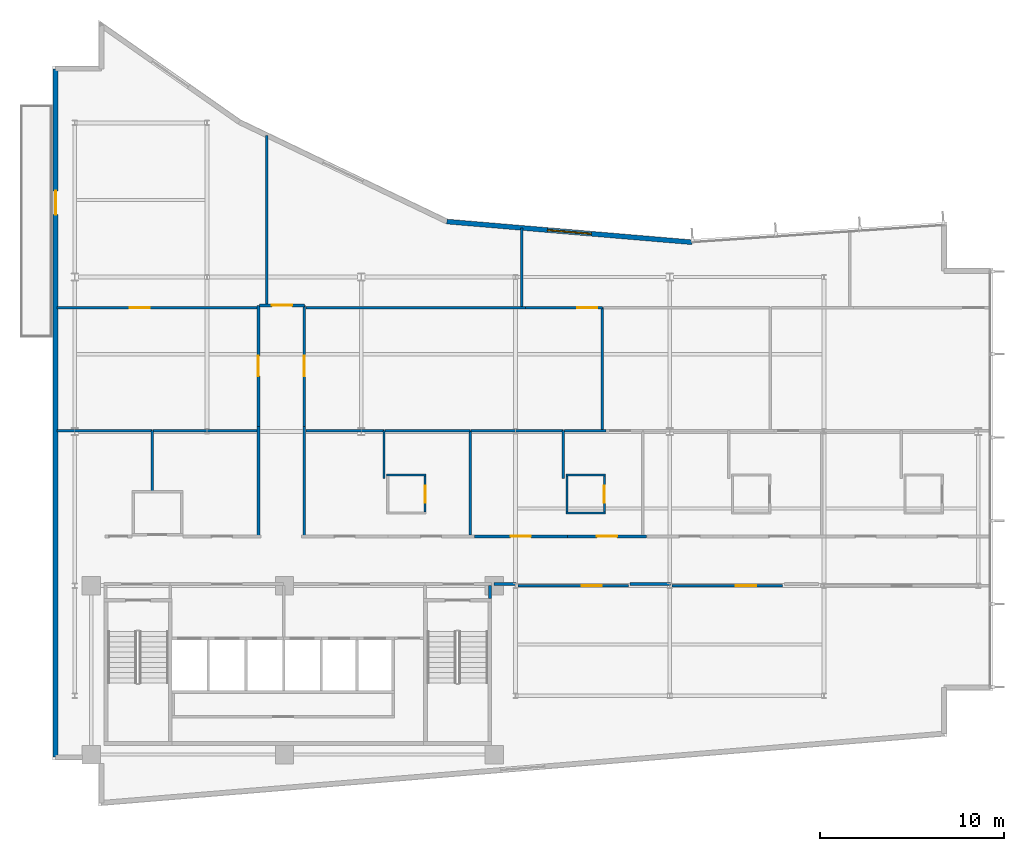
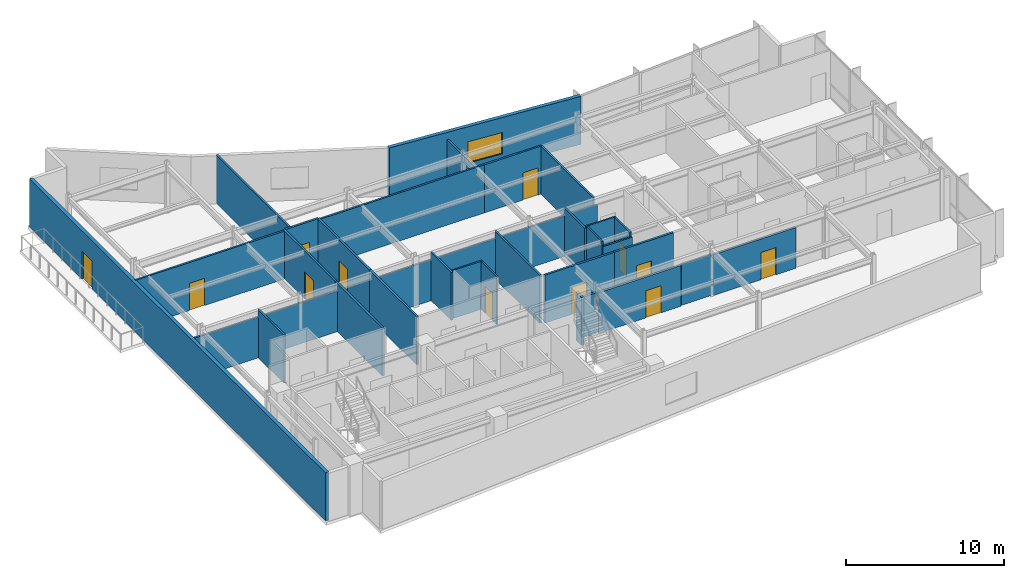
# One storey, part 12 of 17: 36 walls, 12 doors, 1 window, 13 openings.
"""IFC4 building model written with IfcOpenShell, lengths in metres."""

import ifcopenshell
import ifcopenshell.guid

model = None  # the IFC model being written
_history = None  # IfcOwnerHistory: only IFC2X3 demands one
_inside = {}  # id of a spatial element -> (the spatial element, [elements in it])
_under = {}  # id of a project, library or spatial element -> (it, [spatial elements below it])
_declared = {}  # id of a project -> (the project, [libraries it declares])
_typed = {}  # id of a type object -> (the type object, [elements of that type])
_made_of = {}  # id of a material, layer set ... -> (it, [elements and type objects made of it])


def new_model(schema):
    """Start an empty IFC model of exactly this schema.

    Asked for "IFC4X3", IfcOpenShell would pick the latest addendum, in which some entities
    have other attributes; the version numbers below select the first issue.
    IFC2X3 requires an IfcOwnerHistory on every rooted entity: one is made here for all.
    """
    global model, _history
    if schema == "IFC4X3":
        model = ifcopenshell.file(schema_version=(4, 3, 0, 0))
    else:
        model = ifcopenshell.file(schema=schema)
    _inside.clear()
    _under.clear()
    _declared.clear()
    _typed.clear()
    _made_of.clear()
    _history = None
    if model.schema == "IFC2X3":
        org = make("IfcOrganization", Name="unknown")
        user = make(
            "IfcPersonAndOrganization",
            ThePerson=make("IfcPerson", FamilyName="unknown"),
            TheOrganization=org,
        )
        app = make(
            "IfcApplication",
            ApplicationDeveloper=org,
            Version="unknown",
            ApplicationFullName="unknown",
            ApplicationIdentifier="unknown",
        )
        _history = make(
            "IfcOwnerHistory",
            OwningUser=user,
            OwningApplication=app,
            ChangeAction="ADDED",
            CreationDate=0,
        )
    return model


def make(cls, **values):
    """One entity of the class cls with the attributes given. An attribute that is None is left unset."""
    return model.create_entity(
        cls, **{name: value for name, value in values.items() if value is not None}
    )


def rooted(cls, **values):
    """An entity with a GlobalId (a new one), such as an element, a storey or a relation."""
    return make(cls, GlobalId=ifcopenshell.guid.new(), OwnerHistory=_history, **values)


def si_unit(unit_type, name, prefix=None):
    """IfcSIUnit, for example si_unit("LENGTHUNIT", "METRE", prefix="MILLI")."""
    return make("IfcSIUnit", UnitType=unit_type, Prefix=prefix, Name=name)


def assignment(units):
    """IfcUnitAssignment: the units of a project."""
    return None if units is None else make("IfcUnitAssignment", Units=units)


def point(xyz):
    """IfcCartesianPoint."""
    return None if xyz is None else make("IfcCartesianPoint", Coordinates=xyz)


def direction(xyz):
    """IfcDirection."""
    return None if xyz is None else make("IfcDirection", DirectionRatios=xyz)


def frame(location, z_axis=None, x_axis=None):
    """IfcAxis2Placement3D, a coordinate frame: its origin and axes. An axis left out is left unset."""
    return make(
        "IfcAxis2Placement3D",
        Location=point(location),
        Axis=direction(z_axis),
        RefDirection=direction(x_axis),
    )


def frame_2d(location, x_axis=None):
    """IfcAxis2Placement2D, a coordinate frame in the plane: its origin and x axis."""
    return make(
        "IfcAxis2Placement2D", Location=point(location), RefDirection=direction(x_axis)
    )


def origin():
    """The frame at (0, 0, 0) with its axes left unset."""
    return frame((0.0, 0.0, 0.0))


def place(relative_to, where):
    """IfcLocalPlacement: puts the frame where relative to a parent placement (None: the world)."""
    return make(
        "IfcLocalPlacement", PlacementRelTo=relative_to, RelativePlacement=where
    )


def context(
    kind, dimensions, precision=None, world=None, true_north=None, identifier=None
):
    """IfcGeometricRepresentationContext, for example the 3D "Model" context."""
    return make(
        "IfcGeometricRepresentationContext",
        ContextIdentifier=identifier,
        ContextType=kind,
        CoordinateSpaceDimension=dimensions,
        Precision=precision,
        WorldCoordinateSystem=world,
        TrueNorth=true_north,
    )


def subcontext(parent, identifier, kind, view, scale=None):
    """IfcGeometricRepresentationSubContext, for example "Body" below "Model"."""
    return make(
        "IfcGeometricRepresentationSubContext",
        ContextIdentifier=identifier,
        ContextType=kind,
        ParentContext=parent,
        TargetScale=scale,
        TargetView=view,
    )


def project(units=None, contexts=None):
    """IfcProject with its units and contexts."""
    return rooted(
        "IfcProject",
        Name="project",
        RepresentationContexts=contexts,
        UnitsInContext=assignment(units),
    )


def spatial(cls, under=None, at=None, **own):
    """A site, building, storey or space (cls), placed at a placement, below another one or the project."""
    s = rooted(cls, ObjectPlacement=at, **own)
    if under is not None:
        _under.setdefault(under.id(), (under, []))[1].append(s)
    return s


def profile(cls, at=None, kind="AREA", **sizes):
    """A parametric profile (cls). Its sizes go by their IFC names, for example OverallWidth=200.0."""
    return make(cls, ProfileType=kind, Position=at, **sizes)


def rectangle(**sizes):
    """IfcRectangleProfileDef."""
    return profile("IfcRectangleProfileDef", **sizes)


def extrude(swept, where, along, depth):
    """IfcExtrudedAreaSolid: the profile swept, set in the frame where, extruded along a direction by depth."""
    return make(
        "IfcExtrudedAreaSolid",
        SweptArea=swept,
        Position=where,
        ExtrudedDirection=direction(along),
        Depth=depth,
    )


def shape(context_of_items, identifier, shape_type, items):
    """IfcShapeRepresentation: the items that make up one representation, for example the "Body"."""
    return make(
        "IfcShapeRepresentation",
        ContextOfItems=context_of_items,
        RepresentationIdentifier=identifier,
        RepresentationType=shape_type,
        Items=items,
    )


def material(Name=None, Category=None):
    """IfcMaterial."""
    return make("IfcMaterial", Name=Name, Category=Category)


def layer(
    of_material, thickness, ventilated=None, Name=None, Category=None, Priority=None
):
    """IfcMaterialLayer: one layer of a wall or slab, of a material (None: an air gap)."""
    return make(
        "IfcMaterialLayer",
        Material=of_material,
        LayerThickness=thickness,
        IsVentilated=ventilated,
        Name=Name,
        Category=Category,
        Priority=Priority,
    )


def layer_set(layers, Name=None):
    """IfcMaterialLayerSet."""
    return make("IfcMaterialLayerSet", MaterialLayers=layers, LayerSetName=Name)


def made_of(thing, what):
    """Note that an element or type object is made of a material, layer set ...; save() writes the relation."""
    if what is not None:
        _made_of.setdefault(what.id(), (what, []))[1].append(thing)
    return thing


def type_object(cls, material=None, **own):
    """A type object (cls), such as IfcWallType, which elements share."""
    return made_of(rooted(cls, **own), material)


def element(
    cls,
    number,
    at=None,
    inside=None,
    cuts=None,
    type_object=None,
    material=None,
    context=None,
    identifier="Body",
    shape_type=None,
    held_by="IfcProductDefinitionShape",
    body=None,
    shapes=None,
    **own,
):
    """One element of the class cls, such as IfcWall. Its Tag is "e" and its number.

    at: its placement. inside: the storey or other place that contains it. cuts: it is an
    opening in that element (IfcRelVoidsElement). A single representation is given by context,
    identifier, shape_type and body (its items); several are given by shapes. held_by: the class
    of the entity that holds the representations. save() writes the other relations.
    """
    e = rooted(cls, Tag="e%d" % number, ObjectPlacement=at, **own)
    if body is not None:
        shapes = [shape(context, identifier, shape_type, body)]
    if shapes is not None:
        e.Representation = make(held_by, Representations=shapes)
    if inside is not None:
        _inside.setdefault(inside.id(), (inside, []))[1].append(e)
    if cuts is not None:
        rooted(
            "IfcRelVoidsElement", RelatingBuildingElement=cuts, RelatedOpeningElement=e
        )
    if type_object is not None:
        _typed.setdefault(type_object.id(), (type_object, []))[1].append(e)
    return made_of(e, material)


def fill(opening, filler):
    """IfcRelFillsElement: the door or window that sits in an opening."""
    return rooted(
        "IfcRelFillsElement",
        RelatingOpeningElement=opening,
        RelatedBuildingElement=filler,
    )


def aggregate(whole, parts):
    """IfcRelAggregates: a whole, such as a stair, and the parts it consists of."""
    return rooted("IfcRelAggregates", RelatingObject=whole, RelatedObjects=parts)


def save(model, path):
    """Write the relations noted so far, then the file.

    IfcRelAggregates (storeys below a building ...), IfcRelContainedInSpatialStructure (elements
    in a storey), IfcRelDefinesByType, IfcRelAssociatesMaterial and IfcRelDeclares: one each for
    every whole, place, type object, material and project.
    """
    for whole, parts in _under.values():
        aggregate(whole, parts)
    for where, things in _inside.values():
        rooted(
            "IfcRelContainedInSpatialStructure",
            RelatedElements=things,
            RelatingStructure=where,
        )
    for kind, things in _typed.values():
        rooted("IfcRelDefinesByType", RelatedObjects=things, RelatingType=kind)
    for what, things in _made_of.values():
        rooted("IfcRelAssociatesMaterial", RelatedObjects=things, RelatingMaterial=what)
    for by, libraries in _declared.values():
        rooted("IfcRelDeclares", RelatingContext=by, RelatedDefinitions=libraries)
    model.write(path)


model = new_model("IFC4")

# Units and contexts
model_context = context("Model", 3, precision=1e-05, world=origin(), true_north=direction((0.0, 1.0)))
body_context = subcontext(model_context, "Body", "Model", "MODEL_VIEW")
ifc_project = project(units=[si_unit("LENGTHUNIT", "METRE"), si_unit("AREAUNIT", "SQUARE_METRE"), si_unit("VOLUMEUNIT", "CUBIC_METRE"), si_unit("PLANEANGLEUNIT", "RADIAN"), si_unit("MASSUNIT", "GRAM", prefix="KILO")], contexts=[model_context])

# Site, building, storey
site_placement = place(None, origin())
site = spatial("IfcSite", under=ifc_project, at=site_placement, CompositionType="ELEMENT")
building_placement = place(site_placement, origin())
building = spatial("IfcBuilding", under=site, at=building_placement, Name="Varnakote Quay Hospital", CompositionType="ELEMENT")
storey_placement = place(building_placement, frame((0.0, 0.0, 203.949951171875)))
storey = spatial("IfcBuildingStorey", under=building, at=storey_placement, Name="L50", CompositionType="ELEMENT", Elevation=203.949951171875)

# Walls
ifc_material_1 = material(Name="Fire-rated acoustic gypsum stud wall", Category="gypsum")
ifc_layer_1 = layer(ifc_material_1, 0.159912109375)
ifc_layer_set_1 = layer_set([ifc_layer_1], Name="Fire-rated acoustic gypsum stud wall")
wall_type_1 = type_object("IfcWallType", Name="WL-COMP-160", PredefinedType="PARTITIONING", material=ifc_layer_set_1)
wall_1_placement = place(storey_placement, frame((23.820068359375, 11.300048828125, 0.0), z_axis=(0.0, 0.0, 1.0), x_axis=(0.0, 1.0, 0.0)))
element("IfcWall", 1, at=wall_1_placement, inside=storey, type_object=wall_type_1, Name="L50 East Stair Vestibule East Wall", PredefinedType="PARTITIONING", context=body_context, shape_type="SweptSolid", body=[
    extrude(rectangle(XDim=0.699951171875, YDim=0.159912109375, at=frame_2d((0.35009765625, 0.0))), origin(), (0.0, 0.0, 1.0), 3.7099609375),
])
wall_2_placement = place(storey_placement, frame((24.02001953125, 12.080078125, 0.0), z_axis=(0.0, 0.0, 1.0), x_axis=(1.0, 0.0, 0.0)))
element("IfcWall", 2, at=wall_2_placement, inside=storey, type_object=wall_type_1, Name="L50 Corridor South Gap Wall", PredefinedType="PARTITIONING", context=body_context, shape_type="SweptSolid", body=[
    extrude(rectangle(XDim=1.21875, YDim=0.159912109375, at=frame_2d((0.609375, 0.0))), origin(), (0.0, 0.0, 1.0), 3.152099609375),
])
wall_3_placement = place(storey_placement, frame((31.439208984375, 12.080078125, 0.0), z_axis=(0.0, 0.0, 1.0), x_axis=(1.0, 0.0, 0.0)))
element("IfcWall", 3, at=wall_3_placement, inside=storey, type_object=wall_type_1, Name="L50 Corridor South Gap Wall", PredefinedType="PARTITIONING", context=body_context, shape_type="SweptSolid", body=[
    extrude(rectangle(XDim=2.199462890625, YDim=0.159912109375, at=frame_2d((1.099609375, 0.0))), origin(), (0.0, 0.0, 1.0), 3.152099609375),
])
ifc_material_2 = material(Name="Moisture-resistant bathroom partition", Category="gypsum")
ifc_layer_2 = layer(ifc_material_2, 0.114990234375)
ifc_layer_set_2 = layer_set([ifc_layer_2], Name="Moisture-resistant bathroom partition")
wall_type_2 = type_object("IfcWallType", Name="WL-ENS-115", PredefinedType="PARTITIONING", material=ifc_layer_set_2)
wall_4_placement = place(storey_placement, frame((18.18505859375, 18.017578125, 0.0), z_axis=(0.0, 0.0, 1.0), x_axis=(1.0, 0.0, 0.0)))
element("IfcWall", 4, at=wall_4_placement, inside=storey, type_object=wall_type_2, Name="L50 Inpatient En-Suite Bathroom 01 N Wall", PredefinedType="PARTITIONING", context=body_context, shape_type="SweptSolid", body=[
    extrude(rectangle(XDim=2.14990234375, YDim=0.114990234375, at=frame_2d((1.074951171875, 0.0))), origin(), (0.0, 0.0, 1.0), 3.7099609375),
])

# Wall, opening, door
wall_5_placement = place(storey_placement, frame((20.277587890625, 16.010009765625, 0.0), z_axis=(0.0, 0.0, 1.0), x_axis=(0.0, 1.0, 0.0)))
wall_5 = element("IfcWall", 5, at=wall_5_placement, inside=storey, type_object=wall_type_2, Name="L50 Inpatient En-Suite Bathroom 01 E Wall", PredefinedType="PARTITIONING", context=body_context, shape_type="SweptSolid", body=[
    extrude(rectangle(XDim=1.949951171875, YDim=0.114990234375, at=frame_2d((0.97509765625, 0.0))), origin(), (0.0, 0.0, 1.0), 3.7099609375),
])
opening_1_placement = place(wall_5_placement, frame((0.514892578125, 0.0, 0.0)))
opening_1 = element("IfcOpeningElement", 6, at=opening_1_placement, cuts=wall_5, Name="Opening D-L50-ENS01", PredefinedType="OPENING", context=body_context, shape_type="SweptSolid", body=[
    extrude(rectangle(XDim=0.919921875, YDim=2.10009765625, at=frame_2d((0.4599609375, 1.050048828125))), frame((0.0, 0.0673828125, 0.0), z_axis=(0.0, -1.0, 0.0), x_axis=(1.0, 0.0, 0.0)), (0.0, 0.0, 1.0), 0.135009765625),
])
ifc_material_3 = material(Name="Moisture-sealed en-suite bathroom door")
door_type_1 = type_object("IfcDoorType", Name="DR-ENS-920x2100", OperationType="NOTDEFINED", PredefinedType="DOOR", material=ifc_material_3)
door_1_placement = place(opening_1_placement, origin())
door_1 = element("IfcDoor", 7, at=door_1_placement, inside=storey, type_object=door_type_1, Name="L50 Inpatient En-Suite Bathroom 01 Door", OperationType="SINGLE_SWING_LEFT", OverallHeight=2.10009765625, OverallWidth=0.919921875, PredefinedType="DOOR", context=body_context, shape_type="SweptSolid", body=[
    extrude(rectangle(XDim=0.919921875, YDim=2.10009765625, at=frame_2d((0.4599609375, 1.050048828125))), frame((0.0, 0.02490234375, 0.0), z_axis=(0.0, -1.0, 0.0), x_axis=(1.0, 0.0, 0.0)), (0.0, 0.0, 1.0), 0.050048828125),
])
fill(opening_1, door_1)

# Walls
wall_6_placement = place(storey_placement, frame((27.945068359375, 15.952392578125, 0.0), z_axis=(0.0, 0.0, 1.0), x_axis=(1.0, 0.0, 0.0)))
element("IfcWall", 8, at=wall_6_placement, inside=storey, type_object=wall_type_2, Name="L50 Inpatient En-Suite Bathroom 02 S Wall", PredefinedType="PARTITIONING", context=body_context, shape_type="SweptSolid", body=[
    extrude(rectangle(XDim=2.14990234375, YDim=0.114990234375, at=frame_2d((1.074951171875, 0.0))), origin(), (0.0, 0.0, 1.0), 3.381103515625),
])
wall_7_placement = place(storey_placement, frame((27.945068359375, 18.017578125, 0.0), z_axis=(0.0, 0.0, 1.0), x_axis=(1.0, 0.0, 0.0)))
element("IfcWall", 9, at=wall_7_placement, inside=storey, type_object=wall_type_2, Name="L50 Inpatient En-Suite Bathroom 02 N Wall", PredefinedType="PARTITIONING", context=body_context, shape_type="SweptSolid", body=[
    extrude(rectangle(XDim=2.14990234375, YDim=0.114990234375, at=frame_2d((1.074951171875, 0.0))), origin(), (0.0, 0.0, 1.0), 3.7099609375),
])
wall_8_placement = place(storey_placement, frame((28.00244140625, 16.010009765625, 0.0), z_axis=(0.0, 0.0, 1.0), x_axis=(0.0, 1.0, 0.0)))
element("IfcWall", 10, at=wall_8_placement, inside=storey, type_object=wall_type_2, Name="L50 Inpatient En-Suite Bathroom 02 W Wall", PredefinedType="PARTITIONING", context=body_context, shape_type="SweptSolid", body=[
    extrude(rectangle(XDim=1.949951171875, YDim=0.114990234375, at=frame_2d((0.97509765625, 0.0))), origin(), (0.0, 0.0, 1.0), 3.7099609375),
])

# Wall, opening, door
wall_9_placement = place(storey_placement, frame((30.03759765625, 16.010009765625, 0.0), z_axis=(0.0, 0.0, 1.0), x_axis=(0.0, 1.0, 0.0)))
wall_9 = element("IfcWall", 11, at=wall_9_placement, inside=storey, type_object=wall_type_2, Name="L50 Inpatient En-Suite Bathroom 02 E Wall", PredefinedType="PARTITIONING", context=body_context, shape_type="SweptSolid", body=[
    extrude(rectangle(XDim=1.949951171875, YDim=0.114990234375, at=frame_2d((0.97509765625, 0.0))), origin(), (0.0, 0.0, 1.0), 3.7099609375),
])
opening_2_placement = place(wall_9_placement, frame((0.514892578125, 0.0, 0.0)))
opening_2 = element("IfcOpeningElement", 12, at=opening_2_placement, cuts=wall_9, Name="Opening D-L50-ENS02", PredefinedType="OPENING", context=body_context, shape_type="SweptSolid", body=[
    extrude(rectangle(XDim=0.919921875, YDim=2.10009765625, at=frame_2d((0.4599609375, 1.050048828125))), frame((0.0, 0.0673828125, 0.0), z_axis=(0.0, -1.0, 0.0), x_axis=(1.0, 0.0, 0.0)), (0.0, 0.0, 1.0), 0.135009765625),
])
door_2_placement = place(opening_2_placement, origin())
door_2 = element("IfcDoor", 13, at=door_2_placement, inside=storey, type_object=door_type_1, Name="L50 Inpatient En-Suite Bathroom 02 Door", OperationType="SINGLE_SWING_RIGHT", OverallHeight=2.10009765625, OverallWidth=0.919921875, PredefinedType="DOOR", context=body_context, shape_type="SweptSolid", body=[
    extrude(rectangle(XDim=0.919921875, YDim=2.10009765625, at=frame_2d((0.4599609375, 1.050048828125))), frame((0.0, 0.02490234375, 0.0), z_axis=(0.0, -1.0, 0.0), x_axis=(1.0, 0.0, 0.0)), (0.0, 0.0, 1.0), 0.050048828125),
])
fill(opening_2, door_2)

# Wall, opening, window
ifc_material_4 = material(Name="Precast concrete N50 (f'c 50 MPa)", Category="concrete")
ifc_layer_3 = layer(ifc_material_4, 0.260009765625)
ifc_layer_set_3 = layer_set([ifc_layer_3], Name="Precast concrete N50 (f'c 50 MPa)")
wall_type_3 = type_object("IfcWallType", Name="WL-EXT-BRICK-260", PredefinedType="STANDARD", material=ifc_layer_set_3)
wall_10_placement = place(storey_placement, frame((34.814697265625, 30.695556640625, 0.0), z_axis=(0.0, 0.0, 1.0), x_axis=(-0.996454704935, 0.084130975344, 0.0)))
wall_10 = element("IfcWall", 14, at=wall_10_placement, inside=storey, type_object=wall_type_3, Name="L50 Brick-Faced Precast Exterior Wall", PredefinedType="STANDARD", context=body_context, shape_type="SweptSolid", body=[
    extrude(rectangle(XDim=13.401123046875, YDim=0.260009765625, at=frame_2d((6.70068359375, 0.0))), origin(), (0.0, 0.0, 1.0), 3.7099609375),
])
opening_3_placement = place(wall_10_placement, frame((5.50048828125, 0.0, 0.89990234375)))
opening_3 = element("IfcOpeningElement", 15, at=opening_3_placement, cuts=wall_10, Name="Opening WN-0207", PredefinedType="OPENING", context=body_context, shape_type="SweptSolid", body=[
    extrude(rectangle(XDim=2.39990234375, YDim=1.64990234375, at=frame_2d((1.199951171875, 0.824951171875))), frame((0.0, 0.139892578125, 0.0), z_axis=(0.0, -1.0, 0.0), x_axis=(1.0, 0.0, 0.0)), (0.0, 0.0, 1.0), 0.280029296875),
])
ifc_material_5 = material(Name="Double-glazed low-E solar glass", Category="glass")
window_type = type_object("IfcWindowType", Name="WIN-CLIN-2400x1650", PartitioningType="SINGLE_PANEL", PredefinedType="WINDOW", material=ifc_material_5)
window_placement = place(opening_3_placement, origin())
window = element("IfcWindow", 16, at=window_placement, inside=storey, type_object=window_type, Name="L50 Solar-Control Clinical Window", OverallHeight=1.64990234375, OverallWidth=2.39990234375, PartitioningType="SINGLE_PANEL", PredefinedType="WINDOW", context=body_context, shape_type="SweptSolid", body=[
    extrude(rectangle(XDim=2.39990234375, YDim=1.64990234375, at=frame_2d((1.199951171875, 0.824951171875))), frame((0.0, 0.030029296875, 0.0), z_axis=(0.0, -1.0, 0.0), x_axis=(1.0, 0.0, 0.0)), (0.0, 0.0, 1.0), 0.06005859375),
])
fill(opening_3, window)

# Wall, opening, door
wall_11_placement = place(storey_placement, frame((0.159912109375, 40.139892578125, 0.0), z_axis=(0.0, 0.0, 1.0), x_axis=(0.0, -1.0, 0.0)))
wall_11 = element("IfcWall", 17, at=wall_11_placement, inside=storey, type_object=wall_type_3, Name="L50 Healing Terrace Portal Brick Wall", PredefinedType="STANDARD", context=body_context, shape_type="SweptSolid", body=[
    extrude(rectangle(XDim=37.47998046875, YDim=0.260009765625, at=frame_2d((18.739990234375, 0.0))), origin(), (0.0, 0.0, 1.0), 3.7099609375),
])
opening_4_placement = place(wall_11_placement, frame((6.6376953125, 0.0, 0.0)))
opening_4 = element("IfcOpeningElement", 18, at=opening_4_placement, cuts=wall_11, Name="Opening DT-L50", PredefinedType="OPENING", context=body_context, shape_type="SweptSolid", body=[
    extrude(rectangle(XDim=1.300048828125, YDim=2.14990234375, at=frame_2d((0.64990234375, 1.074951171875))), frame((0.0, 0.139892578125, 0.0), z_axis=(0.0, -1.0, 0.0), x_axis=(1.0, 0.0, 0.0)), (0.0, 0.0, 1.0), 0.280029296875),
])
ifc_material_6 = material(Name="Anodised aluminium glazed terrace door", Category="aluminium")
door_type_2 = type_object("IfcDoorType", Name="DR-EXT-TERR-1300x2150", OperationType="NOTDEFINED", PredefinedType="DOOR", material=ifc_material_6)
door_3_placement = place(opening_4_placement, origin())
door_3 = element("IfcDoor", 19, at=door_3_placement, inside=storey, type_object=door_type_2, Name="L50 Waterfront Healing Terrace Door", OperationType="SINGLE_SWING_LEFT", OverallHeight=2.14990234375, OverallWidth=1.300048828125, PredefinedType="DOOR", context=body_context, shape_type="SweptSolid", body=[
    extrude(rectangle(XDim=1.300048828125, YDim=2.14990234375, at=frame_2d((0.64990234375, 1.074951171875))), frame((0.0, 0.02490234375, 0.0), z_axis=(0.0, -1.0, 0.0), x_axis=(1.0, 0.0, 0.0)), (0.0, 0.0, 1.0), 0.050048828125),
])
fill(opening_4, door_3)

# Walls
ifc_material_7 = material(Name="Smoke-proof clinical partition", Category="gypsum")
ifc_layer_4 = layer(ifc_material_7, 0.135009765625)
ifc_layer_set_4 = layer_set([ifc_layer_4], Name="Smoke-proof clinical partition")
wall_type_4 = type_object("IfcWallType", Name="WL-SMOKE-135", PredefinedType="PARTITIONING", material=ifc_layer_set_4)
wall_12_placement = place(storey_placement, frame((5.409912109375, 17.139892578125, 0.0), z_axis=(0.0, 0.0, 1.0), x_axis=(0.0, 1.0, 0.0)))
element("IfcWall", 20, at=wall_12_placement, inside=storey, type_object=wall_type_4, Name="L50 Clinical Interior Partition", PredefinedType="PARTITIONING", context=body_context, shape_type="SweptSolid", body=[
    extrude(rectangle(XDim=3.300048828125, YDim=0.135009765625, at=frame_2d((1.64990234375, 0.0))), origin(), (0.0, 0.0, 1.0), 3.7099609375),
])
wall_13_placement = place(storey_placement, frame((5.409912109375, 20.43994140625, 0.0), z_axis=(0.0, 0.0, 1.0), x_axis=(-1.0, 0.0, 0.0)))
element("IfcWall", 21, at=wall_13_placement, inside=storey, type_object=wall_type_4, Name="L50 Clinical Interior Partition", PredefinedType="PARTITIONING", context=body_context, shape_type="SweptSolid", body=[
    extrude(rectangle(XDim=5.169921875, YDim=0.135009765625, at=frame_2d((2.5849609375, 0.0))), origin(), (0.0, 0.0, 1.0), 3.152099609375),
])
wall_14_placement = place(storey_placement, frame((11.1201171875, 20.43994140625, 0.0), z_axis=(0.0, 0.0, 1.0), x_axis=(-1.0, 0.0, 0.0)))
element("IfcWall", 22, at=wall_14_placement, inside=storey, type_object=wall_type_4, Name="L50 Clinical Interior Partition", PredefinedType="PARTITIONING", context=body_context, shape_type="SweptSolid", body=[
    extrude(rectangle(XDim=5.652587890625, YDim=0.135009765625, at=frame_2d((2.826171875, 0.0))), origin(), (0.0, 0.0, 1.0), 3.152099609375),
])
wall_15_placement = place(storey_placement, frame((18.0400390625, 17.83251953125, 0.0), z_axis=(0.0, 0.0, 1.0), x_axis=(0.0, 1.0, 0.0)))
element("IfcWall", 23, at=wall_15_placement, inside=storey, type_object=wall_type_4, Name="L50 Clinical Interior Partition", PredefinedType="PARTITIONING", context=body_context, shape_type="SweptSolid", body=[
    extrude(rectangle(XDim=2.607421875, YDim=0.135009765625, at=frame_2d((1.3037109375, 0.0))), origin(), (0.0, 0.0, 1.0), 3.7099609375),
])
wall_16_placement = place(storey_placement, frame((18.0400390625, 20.43994140625, 0.0), z_axis=(0.0, 0.0, 1.0), x_axis=(-1.0, 0.0, 0.0)))
element("IfcWall", 24, at=wall_16_placement, inside=storey, type_object=wall_type_4, Name="L50 Clinical Interior Partition", PredefinedType="PARTITIONING", context=body_context, shape_type="SweptSolid", body=[
    extrude(rectangle(XDim=4.260009765625, YDim=0.135009765625, at=frame_2d((2.1298828125, 0.0))), origin(), (0.0, 0.0, 1.0), 3.152099609375),
])
wall_17_placement = place(storey_placement, frame((22.72998046875, 14.760009765625, 0.0), z_axis=(0.0, 0.0, 1.0), x_axis=(0.0, 1.0, 0.0)))
element("IfcWall", 25, at=wall_17_placement, inside=storey, type_object=wall_type_4, Name="L50 Clinical Interior Partition", PredefinedType="PARTITIONING", context=body_context, shape_type="SweptSolid", body=[
    extrude(rectangle(XDim=5.679931640625, YDim=0.135009765625, at=frame_2d((2.83984375, 0.0))), origin(), (0.0, 0.0, 1.0), 3.7099609375),
])
wall_18_placement = place(storey_placement, frame((22.72998046875, 20.43994140625, 0.0), z_axis=(0.0, 0.0, 1.0), x_axis=(-1.0, 0.0, 0.0)))
element("IfcWall", 26, at=wall_18_placement, inside=storey, type_object=wall_type_4, Name="L50 Clinical Interior Partition", PredefinedType="PARTITIONING", context=body_context, shape_type="SweptSolid", body=[
    extrude(rectangle(XDim=4.632568359375, YDim=0.135009765625, at=frame_2d((2.31640625, 0.0))), origin(), (0.0, 0.0, 1.0), 3.152099609375),
])
wall_19_placement = place(storey_placement, frame((27.800048828125, 17.83251953125, 0.0), z_axis=(0.0, 0.0, 1.0), x_axis=(0.0, 1.0, 0.0)))
element("IfcWall", 27, at=wall_19_placement, inside=storey, type_object=wall_type_4, Name="L50 Clinical Interior Partition", PredefinedType="PARTITIONING", context=body_context, shape_type="SweptSolid", body=[
    extrude(rectangle(XDim=2.607421875, YDim=0.135009765625, at=frame_2d((1.3037109375, 0.0))), origin(), (0.0, 0.0, 1.0), 3.7099609375),
])
wall_20_placement = place(storey_placement, frame((27.800048828125, 20.43994140625, 0.0), z_axis=(0.0, 0.0, 1.0), x_axis=(-1.0, 0.0, 0.0)))
element("IfcWall", 28, at=wall_20_placement, inside=storey, type_object=wall_type_4, Name="L50 Clinical Interior Partition", PredefinedType="PARTITIONING", context=body_context, shape_type="SweptSolid", body=[
    extrude(rectangle(XDim=5.012451171875, YDim=0.135009765625, at=frame_2d((2.50634765625, 0.0))), origin(), (0.0, 0.0, 1.0), 3.152099609375),
])
wall_21_placement = place(storey_placement, frame((30.137451171875, 20.43994140625, 0.0), z_axis=(0.0, 0.0, 1.0), x_axis=(-1.0, 0.0, 0.0)))
element("IfcWall", 29, at=wall_21_placement, inside=storey, type_object=wall_type_4, Name="L50 Clinical Interior Partition", PredefinedType="PARTITIONING", context=body_context, shape_type="SweptSolid", body=[
    extrude(rectangle(XDim=2.280029296875, YDim=0.135009765625, at=frame_2d((1.14013671875, 0.0))), origin(), (0.0, 0.0, 1.0), 3.152099609375),
])

# Wall, opening, door
wall_22_placement = place(storey_placement, frame((11.1201171875, 27.139892578125, 0.0), z_axis=(0.0, 0.0, 1.0), x_axis=(-1.0, 0.0, 0.0)))
wall_22 = element("IfcWall", 30, at=wall_22_placement, inside=storey, type_object=wall_type_4, Name="L50 Clinical Interior Partition", PredefinedType="PARTITIONING", context=body_context, shape_type="SweptSolid", body=[
    extrude(rectangle(XDim=10.880126953125, YDim=0.135009765625, at=frame_2d((5.43994140625, 0.0))), origin(), (0.0, 0.0, 1.0), 3.7099609375),
])
opening_5_placement = place(wall_22_placement, frame((5.827880859375, 0.0, 0.0)))
opening_5 = element("IfcOpeningElement", 31, at=opening_5_placement, cuts=wall_22, Name="Opening D-L50-MD10", PredefinedType="OPENING", context=body_context, shape_type="SweptSolid", body=[
    extrude(rectangle(XDim=1.10009765625, YDim=2.10009765625, at=frame_2d((0.550048828125, 1.050048828125))), frame((0.0, 0.077392578125, 0.0), z_axis=(0.0, -1.0, 0.0), x_axis=(1.0, 0.0, 0.0)), (0.0, 0.0, 1.0), 0.155029296875),
])
ifc_material_8 = material(Name="Acoustic timber clinical consult door", Category="wood")
door_type_3 = type_object("IfcDoorType", Name="DR-CLIN-FD30S-1100x2100", OperationType="NOTDEFINED", PredefinedType="DOOR", material=ifc_material_8)
door_4_placement = place(opening_5_placement, origin())
door_4 = element("IfcDoor", 32, at=door_4_placement, inside=storey, type_object=door_type_3, Name="L50 Stroke Rehabilitation Treatment Suite Door", OperationType="SINGLE_SWING_LEFT", OverallHeight=2.10009765625, OverallWidth=1.10009765625, PredefinedType="DOOR", context=body_context, shape_type="SweptSolid", body=[
    extrude(rectangle(XDim=1.10009765625, YDim=2.10009765625, at=frame_2d((0.550048828125, 1.050048828125))), frame((0.0, 0.02490234375, 0.0), z_axis=(0.0, -1.0, 0.0), x_axis=(1.0, 0.0, 0.0)), (0.0, 0.0, 1.0), 0.050048828125),
])
fill(opening_5, door_4)

# Walls
wall_23_placement = place(storey_placement, frame((29.929931640625, 20.49755859375, 0.0), z_axis=(0.0, 0.0, 1.0), x_axis=(0.0, 1.0, 0.0)))
element("IfcWall", 33, at=wall_23_placement, inside=storey, type_object=wall_type_4, Name="L50 Clinical Interior Partition", PredefinedType="PARTITIONING", context=body_context, shape_type="SweptSolid", body=[
    extrude(rectangle(XDim=6.642333984375, YDim=0.135009765625, at=frame_2d((3.3212890625, 0.0))), origin(), (0.0, 0.0, 1.0), 3.7099609375),
])
wall_24_placement = place(storey_placement, frame((25.74755859375, 27.139892578125, 0.0), z_axis=(0.0, 0.0, 1.0), x_axis=(-1.0, 0.0, 0.0)))
element("IfcWall", 34, at=wall_24_placement, inside=storey, type_object=wall_type_4, Name="L50 Clinical Interior Partition", PredefinedType="PARTITIONING", context=body_context, shape_type="SweptSolid", body=[
    extrude(rectangle(XDim=11.967529296875, YDim=0.135009765625, at=frame_2d((5.98388671875, 0.0))), origin(), (0.0, 0.0, 1.0), 3.7099609375),
])

# Wall, opening, door
wall_25_placement = place(storey_placement, frame((29.929931640625, 27.139892578125, 0.0), z_axis=(0.0, 0.0, 1.0), x_axis=(-1.0, 0.0, 0.0)))
wall_25 = element("IfcWall", 35, at=wall_25_placement, inside=storey, type_object=wall_type_4, Name="L50 Clinical Interior Partition", PredefinedType="PARTITIONING", context=body_context, shape_type="SweptSolid", body=[
    extrude(rectangle(XDim=4.180419921875, YDim=0.135009765625, at=frame_2d((2.09033203125, 0.0))), origin(), (0.0, 0.0, 1.0), 3.7099609375),
])
opening_6_placement = place(wall_25_placement, frame((0.26708984375, 0.0, 0.0)))
opening_6 = element("IfcOpeningElement", 36, at=opening_6_placement, cuts=wall_25, Name="Opening D-L50-MD12", PredefinedType="OPENING", context=body_context, shape_type="SweptSolid", body=[
    extrude(rectangle(XDim=1.10009765625, YDim=2.10009765625, at=frame_2d((0.550048828125, 1.050048828125))), frame((0.0, 0.077392578125, 0.0), z_axis=(0.0, -1.0, 0.0), x_axis=(1.0, 0.0, 0.0)), (0.0, 0.0, 1.0), 0.155029296875),
])
door_5_placement = place(opening_6_placement, origin())
door_5 = element("IfcDoor", 37, at=door_5_placement, inside=storey, type_object=door_type_3, Name="L50 Neuro-Rehab Clinical Consultation Suite Door", OperationType="SINGLE_SWING_RIGHT", OverallHeight=2.10009765625, OverallWidth=1.10009765625, PredefinedType="DOOR", context=body_context, shape_type="SweptSolid", body=[
    extrude(rectangle(XDim=1.10009765625, YDim=2.10009765625, at=frame_2d((0.550048828125, 1.050048828125))), frame((0.0, 0.02490234375, 0.0), z_axis=(0.0, -1.0, 0.0), x_axis=(1.0, 0.0, 0.0)), (0.0, 0.0, 1.0), 0.050048828125),
])
fill(opening_6, door_5)

# Walls
wall_26_placement = place(storey_placement, frame((11.64990234375, 27.320068359375, 0.0), z_axis=(0.0, 0.0, 1.0), x_axis=(0.0, 1.0, 0.0)))
element("IfcWall", 38, at=wall_26_placement, inside=storey, type_object=wall_type_4, Name="L50 Clinical Interior Partition", PredefinedType="PARTITIONING", context=body_context, shape_type="SweptSolid", body=[
    extrude(rectangle(XDim=9.203125, YDim=0.135009765625, at=frame_2d((4.6015625, 0.0))), origin(), (0.0, 0.0, 1.0), 3.7099609375),
])
wall_27_placement = place(storey_placement, frame((25.5400390625, 27.197509765625, 0.0), z_axis=(0.0, 0.0, 1.0), x_axis=(0.0, 1.0, 0.0)))
element("IfcWall", 39, at=wall_27_placement, inside=storey, type_object=wall_type_4, Name="L50 Clinical Interior Partition", PredefinedType="PARTITIONING", context=body_context, shape_type="SweptSolid", body=[
    extrude(rectangle(XDim=4.28125, YDim=0.135009765625, at=frame_2d((2.140625, 0.0))), origin(), (0.0, 0.0, 1.0), 3.156982421875),
])

# Wall, opening, door
ifc_material_9 = material(Name="Fire-rated clinical gypsum partition", Category="gypsum")
ifc_layer_5 = layer(ifc_material_9, 0.14990234375)
ifc_layer_set_5 = layer_set([ifc_layer_5], Name="Fire-rated clinical gypsum partition")
wall_type_5 = type_object("IfcWallType", Name="WL-WARD-150", PredefinedType="PARTITIONING", material=ifc_layer_set_5)
wall_28_placement = place(storey_placement, frame((31.35009765625, 12.0, 0.0), z_axis=(0.0, 0.0, 1.0), x_axis=(-1.0, 0.0, 0.0)))
wall_28 = element("IfcWall", 40, at=wall_28_placement, inside=storey, type_object=wall_type_5, Name="L50 Clinical Interior Partition", PredefinedType="PARTITIONING", context=body_context, shape_type="SweptSolid", body=[
    extrude(rectangle(XDim=6.022216796875, YDim=0.14990234375, at=frame_2d((3.01123046875, 0.0))), origin(), (0.0, 0.0, 1.0), 3.152099609375),
])
opening_7_placement = place(wall_28_placement, frame((1.443603515625, 0.0, 0.0)))
opening_7 = element("IfcOpeningElement", 41, at=opening_7_placement, cuts=wall_28, Name="Opening D-L50-RL1", PredefinedType="OPENING", context=body_context, shape_type="SweptSolid", body=[
    extrude(rectangle(XDim=1.10009765625, YDim=2.10009765625, at=frame_2d((0.550048828125, 1.050048828125))), frame((0.0, 0.0849609375, 0.0), z_axis=(0.0, -1.0, 0.0), x_axis=(1.0, 0.0, 0.0)), (0.0, 0.0, 1.0), 0.169921875),
])
door_6_placement = place(opening_7_placement, origin())
door_6 = element("IfcDoor", 42, at=door_6_placement, inside=storey, type_object=door_type_3, Name="L50 Day Infusion Treatment Suite Door", OperationType="SINGLE_SWING_LEFT", OverallHeight=2.10009765625, OverallWidth=1.10009765625, PredefinedType="DOOR", context=body_context, shape_type="SweptSolid", body=[
    extrude(rectangle(XDim=1.10009765625, YDim=2.10009765625, at=frame_2d((0.550048828125, 1.050048828125))), frame((0.0, 0.02490234375, 0.0), z_axis=(0.0, -1.0, 0.0), x_axis=(1.0, 0.0, 0.0)), (0.0, 0.0, 1.0), 0.050048828125),
])
fill(opening_7, door_6)

wall_29_placement = place(storey_placement, frame((39.75, 12.0, 0.0), z_axis=(0.0, 0.0, 1.0), x_axis=(-1.0, 0.0, 0.0)))
wall_29 = element("IfcWall", 43, at=wall_29_placement, inside=storey, type_object=wall_type_5, Name="L50 Clinical Interior Partition", PredefinedType="PARTITIONING", context=body_context, shape_type="SweptSolid", body=[
    extrude(rectangle(XDim=6.02197265625, YDim=0.14990234375, at=frame_2d((3.010986328125, 0.0))), origin(), (0.0, 0.0, 1.0), 3.152099609375),
])
opening_8_placement = place(wall_29_placement, frame((1.443603515625, 0.0, 0.0)))
opening_8 = element("IfcOpeningElement", 44, at=opening_8_placement, cuts=wall_29, Name="Opening D-L50-RM1", PredefinedType="OPENING", context=body_context, shape_type="SweptSolid", body=[
    extrude(rectangle(XDim=1.10009765625, YDim=2.10009765625, at=frame_2d((0.550048828125, 1.050048828125))), frame((0.0, 0.0849609375, 0.0), z_axis=(0.0, -1.0, 0.0), x_axis=(1.0, 0.0, 0.0)), (0.0, 0.0, 1.0), 0.169921875),
])
door_7_placement = place(opening_8_placement, origin())
door_7 = element("IfcDoor", 45, at=door_7_placement, inside=storey, type_object=door_type_3, Name="L50 Cardiac Telemetry Treatment Suite Door", OperationType="SINGLE_SWING_RIGHT", OverallHeight=2.10009765625, OverallWidth=1.10009765625, PredefinedType="DOOR", context=body_context, shape_type="SweptSolid", body=[
    extrude(rectangle(XDim=1.10009765625, YDim=2.10009765625, at=frame_2d((0.550048828125, 1.050048828125))), frame((0.0, 0.02490234375, 0.0), z_axis=(0.0, -1.0, 0.0), x_axis=(1.0, 0.0, 0.0)), (0.0, 0.0, 1.0), 0.050048828125),
])
fill(opening_8, door_7)

wall_30_placement = place(storey_placement, frame((28.02587890625, 14.679931640625, 0.0), z_axis=(0.0, 0.0, 1.0), x_axis=(-1.0, 0.0, 0.0)))
wall_30 = element("IfcWall", 46, at=wall_30_placement, inside=storey, type_object=wall_type_5, Name="L50 Clinical Interior Partition", PredefinedType="PARTITIONING", context=body_context, shape_type="SweptSolid", body=[
    extrude(rectangle(XDim=5.06787109375, YDim=0.14990234375, at=frame_2d((2.533935546875, 0.0))), origin(), (0.0, 0.0, 1.0), 3.7099609375),
])
opening_9_placement = place(wall_30_placement, frame((1.98388671875, 0.0, 0.0)))
opening_9 = element("IfcOpeningElement", 47, at=opening_9_placement, cuts=wall_30, Name="Opening D-L50-MD04", PredefinedType="OPENING", context=body_context, shape_type="SweptSolid", body=[
    extrude(rectangle(XDim=1.10009765625, YDim=2.10009765625, at=frame_2d((0.550048828125, 1.050048828125))), frame((0.0, 0.0849609375, 0.0), z_axis=(0.0, -1.0, 0.0), x_axis=(1.0, 0.0, 0.0)), (0.0, 0.0, 1.0), 0.169921875),
])
door_8_placement = place(opening_9_placement, origin())
door_8 = element("IfcDoor", 48, at=door_8_placement, inside=storey, type_object=door_type_3, Name="L50 Neuro-Rehab Clinical Consultation Suite Door", OperationType="SINGLE_SWING_RIGHT", OverallHeight=2.10009765625, OverallWidth=1.10009765625, PredefinedType="DOOR", context=body_context, shape_type="SweptSolid", body=[
    extrude(rectangle(XDim=1.10009765625, YDim=2.10009765625, at=frame_2d((0.550048828125, 1.050048828125))), frame((0.0, 0.02490234375, 0.0), z_axis=(0.0, -1.0, 0.0), x_axis=(1.0, 0.0, 0.0)), (0.0, 0.0, 1.0), 0.050048828125),
])
fill(opening_9, door_8)

wall_31_placement = place(storey_placement, frame((32.345947265625, 14.679931640625, 0.0), z_axis=(0.0, 0.0, 1.0), x_axis=(-1.0, 0.0, 0.0)))
wall_31 = element("IfcWall", 49, at=wall_31_placement, inside=storey, type_object=wall_type_5, Name="L50 Clinical Interior Partition", PredefinedType="PARTITIONING", context=body_context, shape_type="SweptSolid", body=[
    extrude(rectangle(XDim=4.31787109375, YDim=0.14990234375, at=frame_2d((2.158935546875, 0.0))), origin(), (0.0, 0.0, 1.0), 3.7099609375),
])
opening_10_placement = place(wall_31_placement, frame((1.60888671875, 0.0, 0.0)))
opening_10 = element("IfcOpeningElement", 50, at=opening_10_placement, cuts=wall_31, Name="Opening D-L50-BR02", PredefinedType="OPENING", context=body_context, shape_type="SweptSolid", body=[
    extrude(rectangle(XDim=1.10009765625, YDim=2.10009765625, at=frame_2d((0.550048828125, 1.050048828125))), frame((0.0, 0.0849609375, 0.0), z_axis=(0.0, -1.0, 0.0), x_axis=(1.0, 0.0, 0.0)), (0.0, 0.0, 1.0), 0.169921875),
])
door_9_placement = place(opening_10_placement, origin())
door_9 = element("IfcDoor", 51, at=door_9_placement, inside=storey, type_object=door_type_3, Name="L50 Inpatient Clinical Treatment Room 02 Door", OperationType="SINGLE_SWING_LEFT", OverallHeight=2.10009765625, OverallWidth=1.10009765625, PredefinedType="DOOR", context=body_context, shape_type="SweptSolid", body=[
    extrude(rectangle(XDim=1.10009765625, YDim=2.10009765625, at=frame_2d((0.550048828125, 1.050048828125))), frame((0.0, 0.02490234375, 0.0), z_axis=(0.0, -1.0, 0.0), x_axis=(1.0, 0.0, 0.0)), (0.0, 0.0, 1.0), 0.050048828125),
])
fill(opening_10, door_9)

# Walls
for number, where, z_axis, x_axis, name in (
    (52, (11.199951171875, 20.666015625, 0.0), (0.0, 0.0, 1.0), (0.0, -1.0, 0.0), "L50 Clinical Interior Partition"),
    (53, (13.699951171875, 14.699951171875, 0.0), (0.0, 0.0, 1.0), (0.0, 1.0, 0.0), "L50 Clinical Interior Partition"),
):
    element("IfcWall", number, at=place(storey_placement, frame(where, z_axis=z_axis, x_axis=x_axis)), inside=storey, type_object=wall_type_5, Name=name, PredefinedType="PARTITIONING", context=body_context, shape_type="SweptSolid", body=[
        extrude(rectangle(XDim=5.966064453125, YDim=0.14990234375, at=frame_2d((2.98291015625, 0.0))), origin(), (0.0, 0.0, 1.0), 3.7099609375),
    ])

# Wall, opening, door
wall_32_placement = place(storey_placement, frame((11.199951171875, 27.260009765625, 0.0), z_axis=(0.0, 0.0, 1.0), x_axis=(0.0, -1.0, 0.0)))
wall_32 = element("IfcWall", 54, at=wall_32_placement, inside=storey, type_object=wall_type_5, Name="L50 Clinical Interior Partition", PredefinedType="PARTITIONING", context=body_context, shape_type="SweptSolid", body=[
    extrude(rectangle(XDim=6.592041015625, YDim=0.14990234375, at=frame_2d((3.2958984375, 0.0))), origin(), (0.0, 0.0, 1.0), 3.7099609375),
])
opening_11_placement = place(wall_32_placement, frame((2.74609375, 0.0, 0.0)))
opening_11 = element("IfcOpeningElement", 55, at=opening_11_placement, cuts=wall_32, Name="Opening D-L50-DLNG", PredefinedType="OPENING", context=body_context, shape_type="SweptSolid", body=[
    extrude(rectangle(XDim=1.10009765625, YDim=2.10009765625, at=frame_2d((0.550048828125, 1.050048828125))), frame((0.0, 0.0849609375, 0.0), z_axis=(0.0, -1.0, 0.0), x_axis=(1.0, 0.0, 0.0)), (0.0, 0.0, 1.0), 0.169921875),
])
door_10_placement = place(opening_11_placement, origin())
door_10 = element("IfcDoor", 56, at=door_10_placement, inside=storey, type_object=door_type_3, Name="L50 Waterfront Patient & Family Dayroom Door", OperationType="SINGLE_SWING_RIGHT", OverallHeight=2.10009765625, OverallWidth=1.10009765625, PredefinedType="DOOR", context=body_context, shape_type="SweptSolid", body=[
    extrude(rectangle(XDim=1.10009765625, YDim=2.10009765625, at=frame_2d((0.550048828125, 1.050048828125))), frame((0.0, 0.02490234375, 0.0), z_axis=(0.0, -1.0, 0.0), x_axis=(1.0, 0.0, 0.0)), (0.0, 0.0, 1.0), 0.050048828125),
])
fill(opening_11, door_10)

wall_33_placement = place(storey_placement, frame((13.699951171875, 20.66796875, 0.0), z_axis=(0.0, 0.0, 1.0), x_axis=(0.0, 1.0, 0.0)))
wall_33 = element("IfcWall", 57, at=wall_33_placement, inside=storey, type_object=wall_type_5, Name="L50 Clinical Interior Partition", PredefinedType="PARTITIONING", context=body_context, shape_type="SweptSolid", body=[
    extrude(rectangle(XDim=6.592041015625, YDim=0.14990234375, at=frame_2d((3.2958984375, 0.0))), origin(), (0.0, 0.0, 1.0), 3.7099609375),
])
opening_12_placement = place(wall_33_placement, frame((2.74609375, 0.0, 0.0)))
opening_12 = element("IfcOpeningElement", 58, at=opening_12_placement, cuts=wall_33, Name="Opening D-L50-MD07", PredefinedType="OPENING", context=body_context, shape_type="SweptSolid", body=[
    extrude(rectangle(XDim=1.10009765625, YDim=2.10009765625, at=frame_2d((0.550048828125, 1.050048828125))), frame((0.0, 0.0849609375, 0.0), z_axis=(0.0, -1.0, 0.0), x_axis=(1.0, 0.0, 0.0)), (0.0, 0.0, 1.0), 0.169921875),
])
door_11_placement = place(opening_12_placement, origin())
door_11 = element("IfcDoor", 59, at=door_11_placement, inside=storey, type_object=door_type_3, Name="L50 Neurophysiology Office Door", OperationType="SINGLE_SWING_LEFT", OverallHeight=2.10009765625, OverallWidth=1.10009765625, PredefinedType="DOOR", context=body_context, shape_type="SweptSolid", body=[
    extrude(rectangle(XDim=1.10009765625, YDim=2.10009765625, at=frame_2d((0.550048828125, 1.050048828125))), frame((0.0, 0.02490234375, 0.0), z_axis=(0.0, -1.0, 0.0), x_axis=(1.0, 0.0, 0.0)), (0.0, 0.0, 1.0), 0.050048828125),
])
fill(opening_12, door_11)

wall_34_placement = place(storey_placement, frame((13.699951171875, 27.260009765625, 0.0), z_axis=(0.0, 0.0, 1.0), x_axis=(-1.0, 0.0, 0.0)))
wall_34 = element("IfcWall", 60, at=wall_34_placement, inside=storey, type_object=wall_type_5, Name="L50 Clinical Interior Partition", PredefinedType="PARTITIONING", context=body_context, shape_type="SweptSolid", body=[
    extrude(rectangle(XDim=2.43505859375, YDim=0.14990234375, at=frame_2d((1.217529296875, 0.0))), origin(), (0.0, 0.0, 1.0), 3.7099609375),
])
opening_13_placement = place(wall_34_placement, frame((0.66748046875, 0.0, 0.0)))
opening_13 = element("IfcOpeningElement", 61, at=opening_13_placement, cuts=wall_34, Name="Opening D-L50-MD11", PredefinedType="OPENING", context=body_context, shape_type="SweptSolid", body=[
    extrude(rectangle(XDim=1.10009765625, YDim=2.10009765625, at=frame_2d((0.550048828125, 1.050048828125))), frame((0.0, 0.0849609375, 0.0), z_axis=(0.0, -1.0, 0.0), x_axis=(1.0, 0.0, 0.0)), (0.0, 0.0, 1.0), 0.169921875),
])
door_12_placement = place(opening_13_placement, origin())
door_12 = element("IfcDoor", 62, at=door_12_placement, inside=storey, type_object=door_type_3, Name="L50 Neurophysiology Office Door", OperationType="SINGLE_SWING_RIGHT", OverallHeight=2.10009765625, OverallWidth=1.10009765625, PredefinedType="DOOR", context=body_context, shape_type="SweptSolid", body=[
    extrude(rectangle(XDim=1.10009765625, YDim=2.10009765625, at=frame_2d((0.550048828125, 1.050048828125))), frame((0.0, 0.02490234375, 0.0), z_axis=(0.0, -1.0, 0.0), x_axis=(1.0, 0.0, 0.0)), (0.0, 0.0, 1.0), 0.050048828125),
])
fill(opening_13, door_12)

save(model, "model.ifc")
